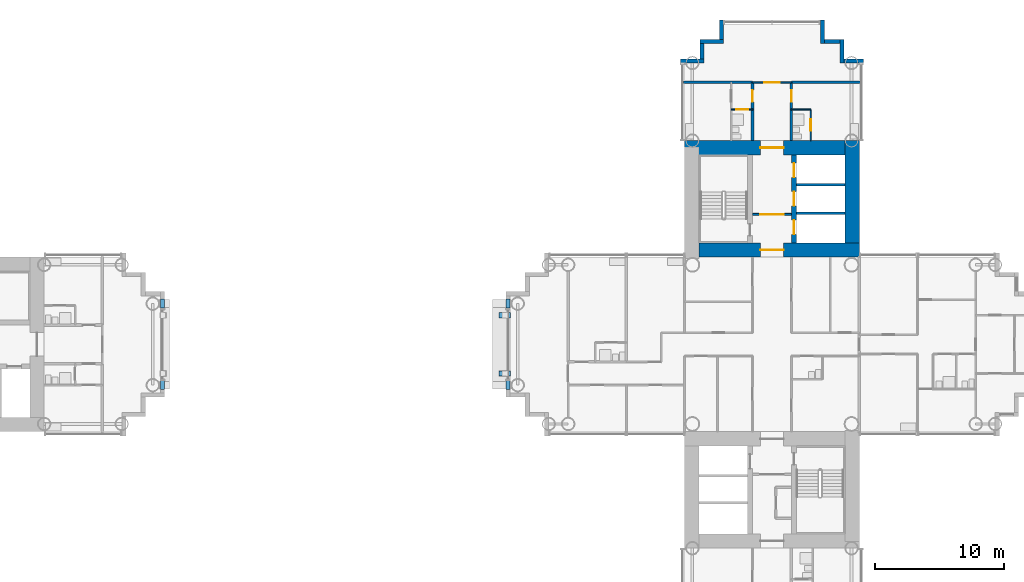
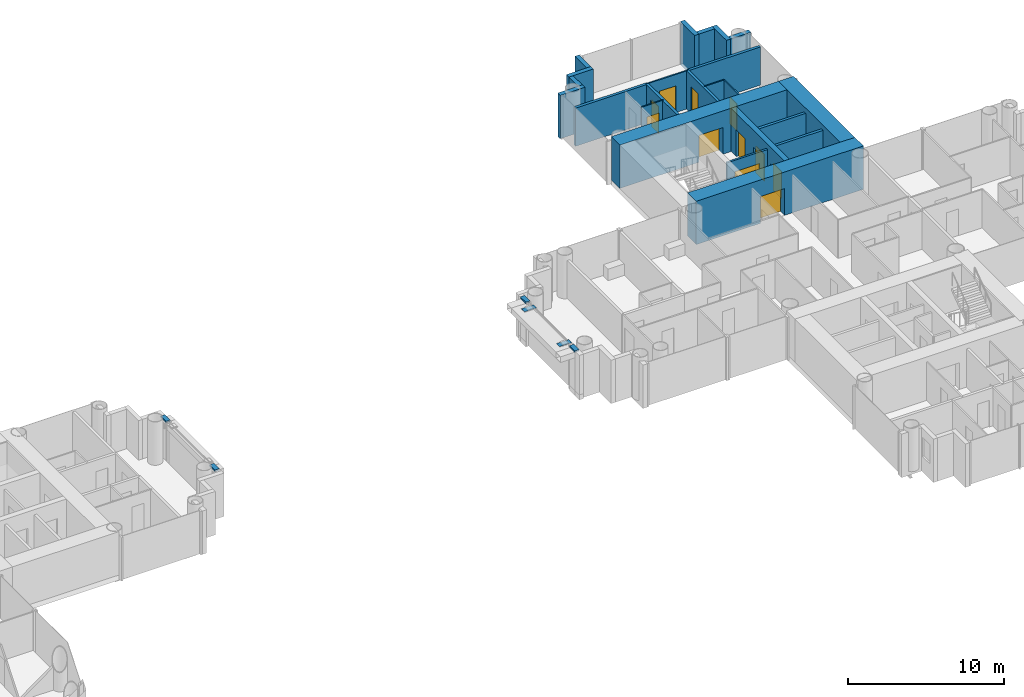
# One storey, part 16 of 22: 27 walls, 11 doors, 2 discrete accessories, 11 openings.
"""IFC4 building model written with IfcOpenShell, lengths in metres."""

from ifc_helpers import new_model, si_unit, direction, frame, frame_2d, origin, origin_2d, place, context, subcontext, project, spatial, rectangle, extrude, material, layer, layer_set, type_object, element, fill, save


model = new_model("IFC4")

# Units and contexts
model_context = context("Model", 3, precision=1e-05, world=origin(), true_north=direction((0.0, 1.0)))
body_context = subcontext(model_context, "Body", "Model", "MODEL_VIEW")
ifc_project = project(units=[si_unit("LENGTHUNIT", "METRE"), si_unit("AREAUNIT", "SQUARE_METRE"), si_unit("VOLUMEUNIT", "CUBIC_METRE"), si_unit("PLANEANGLEUNIT", "RADIAN"), si_unit("MASSUNIT", "GRAM", prefix="KILO")], contexts=[model_context])

# Site, building, storey
site_placement = place(None, origin())
site = spatial("IfcSite", under=ifc_project, at=site_placement, CompositionType="ELEMENT")
building_placement = place(site_placement, origin())
building = spatial("IfcBuilding", under=site, at=building_placement, Name="Ipe Terrace Towers", CompositionType="ELEMENT")
storey_placement = place(building_placement, frame((0.0, 0.0, 68.699951171875)))
storey = spatial("IfcBuildingStorey", under=building, at=storey_placement, Name="L18", CompositionType="ELEMENT", Elevation=68.699951171875)

# Walls
ifc_material_1 = material(Name="Concrete C40/50 with buff precast cladding", Category="concrete")
ifc_layer_1 = layer(ifc_material_1, 0.320068359375)
ifc_layer_set_1 = layer_set([ifc_layer_1], Name="BUFF CLADDING WALL 320")
wall_type_1 = type_object("IfcWallType", Name="BUFF CLADDING WALL 320", PredefinedType="STANDARD", material=ifc_layer_set_1)
for number, where, z_axis, x_axis, name in (
    (1, (-11.090087890625, -3.5, 2.97998046875), (0.0, 0.0, 1.0), (0.0, 1.0, 0.0), "T1-W-L18-25c wall"),
    (2, (-11.090087890625, 2.800048828125, 2.97998046875), (0.0, 0.0, 1.0), (0.0, 1.0, 0.0), "T1-W-L18-25f wall"),
):
    element("IfcWall", number, at=place(storey_placement, frame(where, z_axis=z_axis, x_axis=x_axis)), inside=storey, type_object=wall_type_1, Name=name, PredefinedType="STANDARD", context=body_context, shape_type="SweptSolid", body=[
        extrude(rectangle(XDim=0.699951171875, YDim=0.320068359375, at=frame_2d((0.35009765625, 0.0))), origin(), (0.0, 0.0, 1.0), 0.1201171875),
    ])
wall_1_placement = place(storey_placement, frame((43.070068359375, 21.909912109375, -0.300048828125), z_axis=(0.0, 0.0, 1.0), x_axis=(-1.0, 0.0, 0.0)))
element("IfcWall", 3, at=wall_1_placement, inside=storey, type_object=wall_type_1, Name="T2-W-L18-21a wall", PredefinedType="STANDARD", context=body_context, shape_type="SweptSolid", body=[
    extrude(rectangle(XDim=1.5, YDim=0.320068359375, at=frame_2d((0.75, 0.0))), origin(), (0.0, 0.0, 1.0), 3.400146484375),
])
wall_2_placement = place(storey_placement, frame((41.409912109375, 21.75, -0.300048828125), z_axis=(0.0, 0.0, 1.0), x_axis=(0.0, 1.0, 0.0)))
element("IfcWall", 4, at=wall_2_placement, inside=storey, type_object=wall_type_1, Name="T2-W-L18-22a wall", PredefinedType="STANDARD", context=body_context, shape_type="SweptSolid", body=[
    extrude(rectangle(XDim=1.820068359375, YDim=0.320068359375, at=frame_2d((0.91015625, 0.0))), origin(), (0.0, 0.0, 1.0), 3.400146484375),
])
wall_3_placement = place(storey_placement, frame((41.25, 23.409912109375, -0.300048828125), z_axis=(0.0, 0.0, 1.0), x_axis=(-1.0, 0.0, 0.0)))
element("IfcWall", 5, at=wall_3_placement, inside=storey, type_object=wall_type_1, Name="T2-W-L18-23a wall", PredefinedType="STANDARD", context=body_context, shape_type="SweptSolid", body=[
    extrude(rectangle(XDim=1.179931640625, YDim=0.320068359375, at=frame_2d((0.58984375, 0.0))), origin(), (0.0, 0.0, 1.0), 3.400146484375),
])
wall_4_placement = place(storey_placement, frame((39.909912109375, 23.25, -0.300048828125), z_axis=(0.0, 0.0, 1.0), x_axis=(0.0, 1.0, 0.0)))
element("IfcWall", 6, at=wall_4_placement, inside=storey, type_object=wall_type_1, Name="T2-W-L18-24a wall", PredefinedType="STANDARD", context=body_context, shape_type="SweptSolid", body=[
    extrude(rectangle(XDim=1.820068359375, YDim=0.320068359375, at=frame_2d((0.91015625, 0.0))), origin(), (0.0, 0.0, 1.0), 3.400146484375),
])
wall_5_placement = place(storey_placement, frame((32.090087890625, 25.070068359375, -0.300048828125), z_axis=(0.0, 0.0, 1.0), x_axis=(0.0, -1.0, 0.0)))
element("IfcWall", 7, at=wall_5_placement, inside=storey, type_object=wall_type_1, Name="T2-W-L18-26a wall", PredefinedType="STANDARD", context=body_context, shape_type="SweptSolid", body=[
    extrude(rectangle(XDim=1.5, YDim=0.320068359375, at=frame_2d((0.75, 0.0))), origin(), (0.0, 0.0, 1.0), 3.400146484375),
])
wall_6_placement = place(storey_placement, frame((32.25, 23.409912109375, -0.300048828125), z_axis=(0.0, 0.0, 1.0), x_axis=(-1.0, 0.0, 0.0)))
element("IfcWall", 8, at=wall_6_placement, inside=storey, type_object=wall_type_1, Name="T2-W-L18-27a wall", PredefinedType="STANDARD", context=body_context, shape_type="SweptSolid", body=[
    extrude(rectangle(XDim=1.820068359375, YDim=0.320068359375, at=frame_2d((0.91015625, 0.0))), origin(), (0.0, 0.0, 1.0), 3.400146484375),
])
wall_7_placement = place(storey_placement, frame((30.590087890625, 23.25, -0.300048828125), z_axis=(0.0, 0.0, 1.0), x_axis=(0.0, -1.0, 0.0)))
element("IfcWall", 9, at=wall_7_placement, inside=storey, type_object=wall_type_1, Name="T2-W-L18-28a wall", PredefinedType="STANDARD", context=body_context, shape_type="SweptSolid", body=[
    extrude(rectangle(XDim=1.179931640625, YDim=0.320068359375, at=frame_2d((0.58984375, 0.0))), origin(), (0.0, 0.0, 1.0), 3.400146484375),
])
wall_8_placement = place(storey_placement, frame((30.75, 21.909912109375, -0.300048828125), z_axis=(0.0, 0.0, 1.0), x_axis=(-1.0, 0.0, 0.0)))
element("IfcWall", 10, at=wall_8_placement, inside=storey, type_object=wall_type_1, Name="T2-W-L18-29a wall", PredefinedType="STANDARD", context=body_context, shape_type="SweptSolid", body=[
    extrude(rectangle(XDim=1.820068359375, YDim=0.320068359375, at=frame_2d((0.91015625, 0.0))), origin(), (0.0, 0.0, 1.0), 3.400146484375),
])
for number, where, z_axis, x_axis, name in (
    (11, (15.590087890625, 3.5, 2.97998046875), (0.0, 0.0, 1.0), (0.0, -1.0, 0.0), "T2-W-L18-38c wall"),
    (12, (15.590087890625, -2.800048828125, 2.97998046875), (0.0, 0.0, 1.0), (0.0, -1.0, 0.0), "T2-W-L18-38f wall"),
):
    element("IfcWall", number, at=place(storey_placement, frame(where, z_axis=z_axis, x_axis=x_axis)), inside=storey, type_object=wall_type_1, Name=name, PredefinedType="STANDARD", context=body_context, shape_type="SweptSolid", body=[
        extrude(rectangle(XDim=0.699951171875, YDim=0.320068359375, at=frame_2d((0.35009765625, 0.0))), origin(), (0.0, 0.0, 1.0), 0.1201171875),
    ])
ifc_material_2 = material(Name="Gypsum board partition", Category="plasterboard")
ifc_layer_2 = layer(ifc_material_2, 0.10009765625)
ifc_layer_set_2 = layer_set([ifc_layer_2], Name="Gypsum board partition 100 mm")
wall_type_2 = type_object("IfcWallType", Name="Gypsum board partition 100 mm", PredefinedType="PARTITIONING", material=ifc_layer_set_2)
wall_9_placement = place(storey_placement, frame((39.0, 18.14990234375, 0.0), z_axis=(0.0, 0.0, 1.0), x_axis=(-1.0, 0.0, 0.0)))
element("IfcWall", 13, at=wall_9_placement, inside=storey, type_object=wall_type_2, Name="Gypsum board partition T2 L18 W21", PredefinedType="PARTITIONING", context=body_context, shape_type="SweptSolid", body=[
    extrude(rectangle(XDim=1.5, YDim=0.10009765625, at=frame_2d((0.75, 0.0))), origin(), (0.0, 0.0, 1.0), 3.0),
])

# Wall, opening, door
wall_10_placement = place(storey_placement, frame((34.5, 18.14990234375, 0.0), z_axis=(0.0, 0.0, 1.0), x_axis=(-1.0, 0.0, 0.0)))
wall_10 = element("IfcWall", 14, at=wall_10_placement, inside=storey, type_object=wall_type_2, Name="Gypsum board partition T2 L18 W22", PredefinedType="PARTITIONING", context=body_context, shape_type="SweptSolid", body=[
    extrude(rectangle(XDim=1.64990234375, YDim=0.10009765625, at=frame_2d((0.824951171875, 0.0))), origin(), (0.0, 0.0, 1.0), 3.0),
])
opening_1_placement = place(wall_10_placement, frame((0.35009765625, 0.0, 0.0)))
opening_1 = element("IfcOpeningElement", 15, at=opening_1_placement, cuts=wall_10, Name="Opening T2-Z1F-28", PredefinedType="OPENING", context=body_context, shape_type="SweptSolid", body=[
    extrude(rectangle(XDim=0.89990234375, YDim=2.10009765625, at=frame_2d((0.449951171875, 1.050048828125))), frame((0.0, 0.06005859375, 0.0), z_axis=(0.0, -1.0, 0.0), x_axis=(1.0, 0.0, 0.0)), (0.0, 0.0, 1.0), 0.1201171875),
])
ifc_material_3 = material(Name="Timber door leaf", Category="wood")
door_type_1 = type_object("IfcDoorType", Name="Bathroom door 900 x 2100", OperationType="NOTDEFINED", PredefinedType="DOOR", material=ifc_material_3)
door_1_placement = place(opening_1_placement, origin())
door_1 = element("IfcDoor", 16, at=door_1_placement, inside=storey, type_object=door_type_1, Name="Bathroom door T2-Z1F-28", OperationType="SINGLE_SWING_RIGHT", OverallHeight=2.10009765625, OverallWidth=0.89990234375, PredefinedType="DOOR", context=body_context, shape_type="SweptSolid", body=[
    extrude(rectangle(XDim=0.89990234375, YDim=2.10009765625, at=frame_2d((0.449951171875, 1.050048828125))), frame((0.0, 0.02490234375, 0.0), z_axis=(0.0, -1.0, 0.0), x_axis=(1.0, 0.0, 0.0)), (0.0, 0.0, 1.0), 0.050048828125),
])
fill(opening_1, door_1)

wall_11_placement = place(storey_placement, frame((37.5, 20.25, 0.0), z_axis=(0.0, 0.0, 1.0), x_axis=(-1.0, 0.0, 0.0)))
wall_11 = element("IfcWall", 17, at=wall_11_placement, inside=storey, type_object=wall_type_2, Name="Gypsum board partition T2 L18 W23", PredefinedType="PARTITIONING", context=body_context, shape_type="SweptSolid", body=[
    extrude(rectangle(XDim=3.0, YDim=0.10009765625, at=frame_2d((1.5, 0.0))), origin(), (0.0, 0.0, 1.0), 3.0),
])
opening_2_placement = place(wall_11_placement, frame((0.89990234375, 0.0, 0.0)))
opening_2 = element("IfcOpeningElement", 18, at=opening_2_placement, cuts=wall_11, Name="Opening T2-Z1F-31", PredefinedType="OPENING", context=body_context, shape_type="SweptSolid", body=[
    extrude(rectangle(XDim=1.199951171875, YDim=2.10009765625, at=frame_2d((0.60009765625, 1.050048828125))), frame((0.0, 0.06005859375, 0.0), z_axis=(0.0, -1.0, 0.0), x_axis=(1.0, 0.0, 0.0)), (0.0, 0.0, 1.0), 0.1201171875),
])
ifc_material_4 = material(Name="Timber door leaf", Category="wood")
door_type_2 = type_object("IfcDoorType", Name="Lounge door 1200 x 2100", OperationType="NOTDEFINED", PredefinedType="DOOR", material=ifc_material_4)
door_2_placement = place(opening_2_placement, origin())
door_2 = element("IfcDoor", 19, at=door_2_placement, inside=storey, type_object=door_type_2, Name="Lounge door T2-Z1F-31", OperationType="SINGLE_SWING_RIGHT", OverallHeight=2.10009765625, OverallWidth=1.199951171875, PredefinedType="DOOR", context=body_context, shape_type="SweptSolid", body=[
    extrude(rectangle(XDim=1.199951171875, YDim=2.10009765625, at=frame_2d((0.60009765625, 1.050048828125))), frame((0.0, 0.02490234375, 0.0), z_axis=(0.0, -1.0, 0.0), x_axis=(1.0, 0.0, 0.0)), (0.0, 0.0, 1.0), 0.050048828125),
])
fill(opening_2, door_2)

wall_12_placement = place(storey_placement, frame((39.0, 15.75, 0.0), z_axis=(0.0, 0.0, 1.0), x_axis=(0.0, 1.0, 0.0)))
wall_12 = element("IfcWall", 20, at=wall_12_placement, inside=storey, type_object=wall_type_2, Name="Gypsum board partition T2 L18 W36", PredefinedType="PARTITIONING", context=body_context, shape_type="SweptSolid", body=[
    extrude(rectangle(XDim=2.39990234375, YDim=0.10009765625, at=frame_2d((1.199951171875, 0.0))), origin(), (0.0, 0.0, 1.0), 3.0),
])
opening_3_placement = place(wall_12_placement, frame((0.75, 0.0, 0.0)))
opening_3 = element("IfcOpeningElement", 21, at=opening_3_placement, cuts=wall_12, Name="Opening T2-Z1F-30", PredefinedType="OPENING", context=body_context, shape_type="SweptSolid", body=[
    extrude(rectangle(XDim=0.89990234375, YDim=2.10009765625, at=frame_2d((0.449951171875, 1.050048828125))), frame((0.0, 0.06005859375, 0.0), z_axis=(0.0, -1.0, 0.0), x_axis=(1.0, 0.0, 0.0)), (0.0, 0.0, 1.0), 0.1201171875),
])
door_3_placement = place(opening_3_placement, origin())
door_3 = element("IfcDoor", 22, at=door_3_placement, inside=storey, type_object=door_type_1, Name="Bathroom door T2-Z1F-30", OperationType="SINGLE_SWING_LEFT", OverallHeight=2.10009765625, OverallWidth=0.89990234375, PredefinedType="DOOR", context=body_context, shape_type="SweptSolid", body=[
    extrude(rectangle(XDim=0.89990234375, YDim=2.10009765625, at=frame_2d((0.449951171875, 1.050048828125))), frame((0.0, 0.02490234375, 0.0), z_axis=(0.0, -1.0, 0.0), x_axis=(1.0, 0.0, 0.0)), (0.0, 0.0, 1.0), 0.050048828125),
])
fill(opening_3, door_3)

ifc_material_5 = material(Name="Gypsum board partition", Category="plasterboard")
ifc_layer_3 = layer(ifc_material_5, 0.14990234375)
ifc_layer_set_3 = layer_set([ifc_layer_3], Name="Gypsum board partition 150 mm")
wall_type_3 = type_object("IfcWallType", Name="Gypsum board partition 150 mm", PredefinedType="PARTITIONING", material=ifc_layer_set_3)
wall_13_placement = place(storey_placement, frame((37.5, 10.050048828125, 0.0), z_axis=(0.0, 0.0, 1.0), x_axis=(-1.0, 0.0, 0.0)))
wall_13 = element("IfcWall", 23, at=wall_13_placement, inside=storey, type_object=wall_type_3, Name="Gypsum board partition T2 L18 t2c1-lobby-wall", PredefinedType="PARTITIONING", context=body_context, shape_type="SweptSolid", body=[
    extrude(rectangle(XDim=3.0, YDim=0.14990234375, at=frame_2d((1.5, 0.0))), origin(), (0.0, 0.0, 1.0), 3.0),
])
opening_4_placement = place(wall_13_placement, frame((0.60009765625, 0.0, 0.0)))
opening_4 = element("IfcOpeningElement", 24, at=opening_4_placement, cuts=wall_13, Name="Opening T2C1-VD", PredefinedType="OPENING", context=body_context, shape_type="SweptSolid", body=[
    extrude(rectangle(XDim=1.800048828125, YDim=2.10009765625, at=frame_2d((0.89990234375, 1.050048828125))), frame((0.0, 0.0849609375, 0.0), z_axis=(0.0, -1.0, 0.0), x_axis=(1.0, 0.0, 0.0)), (0.0, 0.0, 1.0), 0.169921875),
])
ifc_material_6 = material(Name="Fire-rated timber door leaf", Category="wood")
door_type_3 = type_object("IfcDoorType", Name="Lobby door 1800 x 2100 FD60", OperationType="NOTDEFINED", PredefinedType="DOOR", material=ifc_material_6)
door_4_placement = place(opening_4_placement, origin())
door_4 = element("IfcDoor", 25, at=door_4_placement, inside=storey, type_object=door_type_3, Name="Lobby door T2C1-VD", OperationType="SINGLE_SWING_LEFT", OverallHeight=2.10009765625, OverallWidth=1.800048828125, PredefinedType="DOOR", context=body_context, shape_type="SweptSolid", body=[
    extrude(rectangle(XDim=1.800048828125, YDim=2.10009765625, at=frame_2d((0.89990234375, 1.050048828125))), frame((0.0, 0.02490234375, 0.0), z_axis=(0.0, -1.0, 0.0), x_axis=(1.0, 0.0, 0.0)), (0.0, 0.0, 1.0), 0.050048828125),
])
fill(opening_4, door_4)

# Walls
ifc_material_7 = material(Name="Gypsum board party wall", Category="plasterboard")
ifc_layer_4 = layer(ifc_material_7, 0.199951171875)
ifc_layer_set_4 = layer_set([ifc_layer_4], Name="Gypsum board party wall 200 mm")
wall_type_4 = type_object("IfcWallType", Name="Gypsum board party wall 200 mm", PredefinedType="SOLIDWALL", material=ifc_layer_set_4)
for number, where, z_axis, x_axis, name in (
    (26, (41.64990234375, 10.14990234375, 0.0), (0.0, 0.0, 1.0), (-1.0, 0.0, 0.0), "Gypsum board party wall T2 L18 t2c1-shaft-div1"),
    (27, (41.64990234375, 12.35009765625, 0.0), (0.0, 0.0, 1.0), (-1.0, 0.0, 0.0), "Gypsum board party wall T2 L18 t2c1-shaft-div2"),
):
    element("IfcWall", number, at=place(storey_placement, frame(where, z_axis=z_axis, x_axis=x_axis)), inside=storey, type_object=wall_type_4, Name=name, PredefinedType="SOLIDWALL", context=body_context, shape_type="SweptSolid", body=[
        extrude(rectangle(XDim=3.75, YDim=0.199951171875, at=frame_2d((1.875, 0.0))), origin(), (0.0, 0.0, 1.0), 3.0),
    ])
for number, where, z_axis, x_axis, name in (
    (28, (42.85009765625, 20.25, 0.0), (0.0, 0.0, 1.0), (-1.0, 0.0, 0.0), "Gypsum board party wall T2 L18 W24"),
    (29, (34.5, 20.25, 0.0), (0.0, 0.0, 1.0), (-1.0, 0.0, 0.0), "Gypsum board party wall T2 L18 W25"),
):
    element("IfcWall", number, at=place(storey_placement, frame(where, z_axis=z_axis, x_axis=x_axis)), inside=storey, type_object=wall_type_4, Name=name, PredefinedType="SOLIDWALL", context=body_context, shape_type="SweptSolid", body=[
        extrude(rectangle(XDim=5.35009765625, YDim=0.199951171875, at=frame_2d((2.675048828125, 0.0))), origin(), (0.0, 0.0, 1.0), 3.0),
    ])

# Wall, opening, door
wall_14_placement = place(storey_placement, frame((37.5, 15.75, 0.0), z_axis=(0.0, 0.0, 1.0), x_axis=(0.0, 1.0, 0.0)))
wall_14 = element("IfcWall", 30, at=wall_14_placement, inside=storey, type_object=wall_type_4, Name="Gypsum board party wall T2 L18 W41", PredefinedType="SOLIDWALL", context=body_context, shape_type="SweptSolid", body=[
    extrude(rectangle(XDim=4.5, YDim=0.199951171875, at=frame_2d((2.25, 0.0))), origin(), (0.0, 0.0, 1.0), 3.0),
])
opening_5_placement = place(wall_14_placement, frame((3.0, 0.0, 0.0)))
opening_5 = element("IfcOpeningElement", 31, at=opening_5_placement, cuts=wall_14, Name="Opening T2-Z1F-29", PredefinedType="OPENING", context=body_context, shape_type="SweptSolid", body=[
    extrude(rectangle(XDim=0.89990234375, YDim=2.10009765625, at=frame_2d((0.449951171875, 1.050048828125))), frame((0.0, 0.10986328125, 0.0), z_axis=(0.0, -1.0, 0.0), x_axis=(1.0, 0.0, 0.0)), (0.0, 0.0, 1.0), 0.219970703125),
])
ifc_material_8 = material(Name="Fire-rated timber door leaf", Category="wood")
door_type_4 = type_object("IfcDoorType", Name="Flat entrance door 900 x 2100 FD30S", OperationType="NOTDEFINED", PredefinedType="DOOR", material=ifc_material_8)
door_5_placement = place(opening_5_placement, origin())
door_5 = element("IfcDoor", 32, at=door_5_placement, inside=storey, type_object=door_type_4, Name="Flat entrance door T2-Z1F-29", OperationType="SINGLE_SWING_RIGHT", OverallHeight=2.10009765625, OverallWidth=0.89990234375, PredefinedType="DOOR", context=body_context, shape_type="SweptSolid", body=[
    extrude(rectangle(XDim=0.89990234375, YDim=2.10009765625, at=frame_2d((0.449951171875, 1.050048828125))), frame((0.0, 0.02490234375, 0.0), z_axis=(0.0, -1.0, 0.0), x_axis=(1.0, 0.0, 0.0)), (0.0, 0.0, 1.0), 0.050048828125),
])
fill(opening_5, door_5)

wall_15_placement = place(storey_placement, frame((34.5, 15.75, 0.0), z_axis=(0.0, 0.0, 1.0), x_axis=(0.0, 1.0, 0.0)))
wall_15 = element("IfcWall", 33, at=wall_15_placement, inside=storey, type_object=wall_type_4, Name="Gypsum board party wall T2 L18 W46", PredefinedType="SOLIDWALL", context=body_context, shape_type="SweptSolid", body=[
    extrude(rectangle(XDim=4.5, YDim=0.199951171875, at=frame_2d((2.25, 0.0))), origin(), (0.0, 0.0, 1.0), 3.0),
])
opening_6_placement = place(wall_15_placement, frame((3.0, 0.0, 0.0)))
opening_6 = element("IfcOpeningElement", 34, at=opening_6_placement, cuts=wall_15, Name="Opening T2-Z1F-26", PredefinedType="OPENING", context=body_context, shape_type="SweptSolid", body=[
    extrude(rectangle(XDim=0.89990234375, YDim=2.10009765625, at=frame_2d((0.449951171875, 1.050048828125))), frame((0.0, 0.10986328125, 0.0), z_axis=(0.0, -1.0, 0.0), x_axis=(1.0, 0.0, 0.0)), (0.0, 0.0, 1.0), 0.219970703125),
])
door_6_placement = place(opening_6_placement, origin())
door_6 = element("IfcDoor", 35, at=door_6_placement, inside=storey, type_object=door_type_4, Name="Flat entrance door T2-Z1F-26", OperationType="SINGLE_SWING_LEFT", OverallHeight=2.10009765625, OverallWidth=0.89990234375, PredefinedType="DOOR", context=body_context, shape_type="SweptSolid", body=[
    extrude(rectangle(XDim=0.89990234375, YDim=2.10009765625, at=frame_2d((0.449951171875, 1.050048828125))), frame((0.0, 0.02490234375, 0.0), z_axis=(0.0, -1.0, 0.0), x_axis=(1.0, 0.0, 0.0)), (0.0, 0.0, 1.0), 0.050048828125),
])
fill(opening_6, door_6)

ifc_material_9 = material(Name="Concrete C60/75", Category="concrete")
ifc_layer_5 = layer(ifc_material_9, 1.10009765625)
ifc_layer_set_5 = layer_set([ifc_layer_5], Name="RW1100 CORE WALL 1100 C60-75")
wall_type_5 = type_object("IfcWallType", Name="RW1100 CORE WALL 1100 C60-75", PredefinedType="SHEAR", material=ifc_layer_set_5)
wall_16_placement = place(storey_placement, frame((30.35009765625, 7.300048828125, 0.0), z_axis=(0.0, 0.0, 1.0), x_axis=(1.0, 0.0, 0.0)))
wall_16 = element("IfcWall", 36, at=wall_16_placement, inside=storey, type_object=wall_type_5, Name="Core wall T2-C1-Z1-W01", PredefinedType="SHEAR", context=body_context, shape_type="SweptSolid", body=[
    extrude(rectangle(XDim=12.39990234375, YDim=1.10009765625, at=frame_2d((6.199951171875, 0.0))), origin(), (0.0, 0.0, 1.0), 3.400146484375),
])
opening_7_placement = place(wall_16_placement, frame((4.75, 0.0, 0.0)))
opening_7 = element("IfcOpeningElement", 37, at=opening_7_placement, cuts=wall_16, Name="Opening T2C1-ND", PredefinedType="OPENING", context=body_context, shape_type="SweptSolid", body=[
    extrude(rectangle(XDim=1.800048828125, YDim=2.10009765625, at=frame_2d((0.89990234375, 1.050048828125))), frame((0.0, 0.56005859375, 0.0), z_axis=(0.0, -1.0, 0.0), x_axis=(1.0, 0.0, 0.0)), (0.0, 0.0, 1.0), 1.1201171875),
])
ifc_material_10 = material(Name="Fire-rated timber door leaf", Category="wood")
door_type_5 = type_object("IfcDoorType", Name="Fire door 1800 x 2100 FD30S", OperationType="NOTDEFINED", PredefinedType="DOOR", material=ifc_material_10)
door_7_placement = place(opening_7_placement, origin())
door_7 = element("IfcDoor", 38, at=door_7_placement, inside=storey, type_object=door_type_5, Name="Fire door T2C1-ND", OperationType="SINGLE_SWING_LEFT", OverallHeight=2.10009765625, OverallWidth=1.800048828125, PredefinedType="DOOR", context=body_context, shape_type="SweptSolid", body=[
    extrude(rectangle(XDim=1.800048828125, YDim=2.10009765625, at=frame_2d((0.89990234375, 1.050048828125))), frame((0.0, 0.02490234375, 0.0), z_axis=(0.0, -1.0, 0.0), x_axis=(1.0, 0.0, 0.0)), (0.0, 0.0, 1.0), 0.050048828125),
])
fill(opening_7, door_7)

# Wall
wall_17_placement = place(storey_placement, frame((42.199951171875, 7.85009765625, 0.0), z_axis=(0.0, 0.0, 1.0), x_axis=(0.0, 1.0, 0.0)))
element("IfcWall", 39, at=wall_17_placement, inside=storey, type_object=wall_type_5, Name="Core wall T2-C1-Z1-W02", PredefinedType="SHEAR", context=body_context, shape_type="SweptSolid", body=[
    extrude(rectangle(XDim=7.89990234375, YDim=1.10009765625, at=frame_2d((3.949951171875, 0.0))), origin(), (0.0, 0.0, 1.0), 3.400146484375),
])

# Wall, opening, door
wall_18_placement = place(storey_placement, frame((41.64990234375, 15.199951171875, 0.0), z_axis=(0.0, 0.0, 1.0), x_axis=(-1.0, 0.0, 0.0)))
wall_18 = element("IfcWall", 40, at=wall_18_placement, inside=storey, type_object=wall_type_5, Name="Core wall T2-C1-Z1-W03", PredefinedType="SHEAR", context=body_context, shape_type="SweptSolid", body=[
    extrude(rectangle(XDim=12.39990234375, YDim=1.10009765625, at=frame_2d((6.199951171875, 0.0))), origin(), (0.0, 0.0, 1.0), 3.400146484375),
])
opening_8_placement = place(wall_18_placement, frame((4.75, 0.0, 0.0)))
opening_8 = element("IfcOpeningElement", 41, at=opening_8_placement, cuts=wall_18, Name="Opening T2C1-FD", PredefinedType="OPENING", context=body_context, shape_type="SweptSolid", body=[
    extrude(rectangle(XDim=1.800048828125, YDim=2.10009765625, at=frame_2d((0.89990234375, 1.050048828125))), frame((0.0, 0.56005859375, 0.0), z_axis=(0.0, -1.0, 0.0), x_axis=(1.0, 0.0, 0.0)), (0.0, 0.0, 1.0), 1.1201171875),
])
door_8_placement = place(opening_8_placement, origin())
door_8 = element("IfcDoor", 42, at=door_8_placement, inside=storey, type_object=door_type_5, Name="Fire door T2C1-FD", OperationType="SINGLE_SWING_LEFT", OverallHeight=2.10009765625, OverallWidth=1.800048828125, PredefinedType="DOOR", context=body_context, shape_type="SweptSolid", body=[
    extrude(rectangle(XDim=1.800048828125, YDim=2.10009765625, at=frame_2d((0.89990234375, 1.050048828125))), frame((0.0, 0.02490234375, 0.0), z_axis=(0.0, -1.0, 0.0), x_axis=(1.0, 0.0, 0.0)), (0.0, 0.0, 1.0), 0.050048828125),
])
fill(opening_8, door_8)

# Wall, openings, doors
ifc_material_11 = material(Name="Concrete C60/75", Category="concrete")
ifc_layer_6 = layer(ifc_material_11, 0.39990234375)
ifc_layer_set_6 = layer_set([ifc_layer_6], Name="RW400 CORE SPINE WALL 400 C60-75")
wall_type_6 = type_object("IfcWallType", Name="RW400 CORE SPINE WALL 400 C60-75", PredefinedType="SHEAR", material=ifc_layer_set_6)
wall_19_placement = place(storey_placement, frame((37.699951171875, 7.85009765625, 0.0), z_axis=(0.0, 0.0, 1.0), x_axis=(0.0, 1.0, 0.0)))
wall_19 = element("IfcWall", 43, at=wall_19_placement, inside=storey, type_object=wall_type_6, Name="Core spine wall T2-C1-Z1-SW2", PredefinedType="SHEAR", context=body_context, shape_type="SweptSolid", body=[
    extrude(rectangle(XDim=6.7998046875, YDim=0.39990234375, at=frame_2d((3.39990234375, 0.0))), origin(), (0.0, 0.0, 1.0), 3.400146484375),
])
opening_9_placement = place(wall_19_placement, frame((0.64990234375, 0.0, 0.0)))
opening_9 = element("IfcOpeningElement", 44, at=opening_9_placement, cuts=wall_19, Name="Opening T2C1-LD1", PredefinedType="OPENING", context=body_context, shape_type="SweptSolid", body=[
    extrude(rectangle(XDim=1.10009765625, YDim=2.10009765625, at=frame_2d((0.550048828125, 1.050048828125))), frame((0.0, 0.2099609375, 0.0), z_axis=(0.0, -1.0, 0.0), x_axis=(1.0, 0.0, 0.0)), (0.0, 0.0, 1.0), 0.419921875),
])
opening_10_placement = place(wall_19_placement, frame((2.85009765625, 0.0, 0.0)))
opening_10 = element("IfcOpeningElement", 45, at=opening_10_placement, cuts=wall_19, Name="Opening T2C1-LD2", PredefinedType="OPENING", context=body_context, shape_type="SweptSolid", body=[
    extrude(rectangle(XDim=1.10009765625, YDim=2.10009765625, at=frame_2d((0.550048828125, 1.050048828125))), frame((0.0, 0.2099609375, 0.0), z_axis=(0.0, -1.0, 0.0), x_axis=(1.0, 0.0, 0.0)), (0.0, 0.0, 1.0), 0.419921875),
])
opening_11_placement = place(wall_19_placement, frame((5.050048828125, 0.0, 0.0)))
opening_11 = element("IfcOpeningElement", 46, at=opening_11_placement, cuts=wall_19, Name="Opening T2C1-LD3", PredefinedType="OPENING", context=body_context, shape_type="SweptSolid", body=[
    extrude(rectangle(XDim=1.10009765625, YDim=2.10009765625, at=frame_2d((0.550048828125, 1.050048828125))), frame((0.0, 0.2099609375, 0.0), z_axis=(0.0, -1.0, 0.0), x_axis=(1.0, 0.0, 0.0)), (0.0, 0.0, 1.0), 0.419921875),
])
ifc_material_12 = material(Name="Fire-rated timber door leaf", Category="wood")
door_type_6 = type_object("IfcDoorType", Name="Sliding door 1100 x 2100 FD60", OperationType="SLIDING_TO_LEFT", PredefinedType="DOOR", material=ifc_material_12)
door_9_placement = place(opening_9_placement, origin())
door_9 = element("IfcDoor", 47, at=door_9_placement, inside=storey, type_object=door_type_6, Name="Sliding door T2C1-LD1", OperationType="SLIDING_TO_LEFT", OverallHeight=2.10009765625, OverallWidth=1.10009765625, PredefinedType="DOOR", context=body_context, shape_type="SweptSolid", body=[
    extrude(rectangle(XDim=1.10009765625, YDim=2.10009765625, at=frame_2d((0.550048828125, 1.050048828125))), frame((0.0, 0.02490234375, 0.0), z_axis=(0.0, -1.0, 0.0), x_axis=(1.0, 0.0, 0.0)), (0.0, 0.0, 1.0), 0.050048828125),
])
fill(opening_9, door_9)
door_10_placement = place(opening_10_placement, origin())
door_10 = element("IfcDoor", 48, at=door_10_placement, inside=storey, type_object=door_type_6, Name="Sliding door T2C1-LD2", OperationType="SLIDING_TO_LEFT", OverallHeight=2.10009765625, OverallWidth=1.10009765625, PredefinedType="DOOR", context=body_context, shape_type="SweptSolid", body=[
    extrude(rectangle(XDim=1.10009765625, YDim=2.10009765625, at=frame_2d((0.550048828125, 1.050048828125))), frame((0.0, 0.02490234375, 0.0), z_axis=(0.0, -1.0, 0.0), x_axis=(1.0, 0.0, 0.0)), (0.0, 0.0, 1.0), 0.050048828125),
])
fill(opening_10, door_10)
door_11_placement = place(opening_11_placement, origin())
door_11 = element("IfcDoor", 49, at=door_11_placement, inside=storey, type_object=door_type_6, Name="Sliding door T2C1-LD3", OperationType="SLIDING_TO_LEFT", OverallHeight=2.10009765625, OverallWidth=1.10009765625, PredefinedType="DOOR", context=body_context, shape_type="SweptSolid", body=[
    extrude(rectangle(XDim=1.10009765625, YDim=2.10009765625, at=frame_2d((0.550048828125, 1.050048828125))), frame((0.0, 0.02490234375, 0.0), z_axis=(0.0, -1.0, 0.0), x_axis=(1.0, 0.0, 0.0)), (0.0, 0.0, 1.0), 0.050048828125),
])
fill(opening_11, door_11)

# Discrete accessories
ifc_material_13 = material(Name="PTFE sheet over stainless steel", Category="steel")
discrete_accessory_type = type_object("IfcDiscreteAccessoryType", Name="BRIDGE-PTFE SLIDING PLATE 900x400x10", PredefinedType="USERDEFINED", material=ifc_material_13)
for number, where, z_axis, x_axis, name in (
    (50, (15.35009765625, -2.25, 2.97998046875), (0.0, 0.0, 1.0), (1.0, 0.0, 0.0), "BR1-PT-T2-S PTFE sliding plate"),
    (51, (15.35009765625, 2.25, 2.97998046875), (0.0, 0.0, 1.0), (1.0, 0.0, 0.0), "BR1-PT-T2-N PTFE sliding plate"),
):
    element("IfcDiscreteAccessory", number, at=place(storey_placement, frame(where, z_axis=z_axis, x_axis=x_axis)), inside=storey, type_object=discrete_accessory_type, Name=name, ObjectType="PTFE SLIDING PLATE", PredefinedType="USERDEFINED", context=body_context, shape_type="SweptSolid", body=[
        extrude(rectangle(XDim=0.89990234375, YDim=0.39990234375, at=origin_2d()), origin(), (0.0, 0.0, 1.0), 0.010009765625),
    ])

save(model, "model.ifc")
